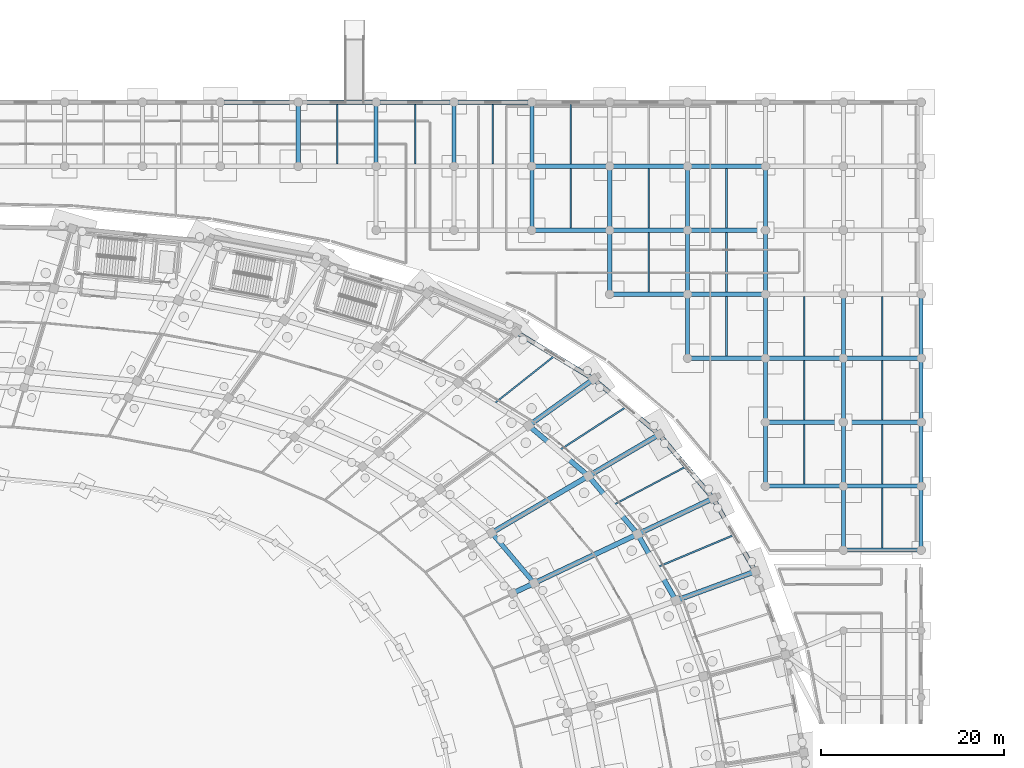
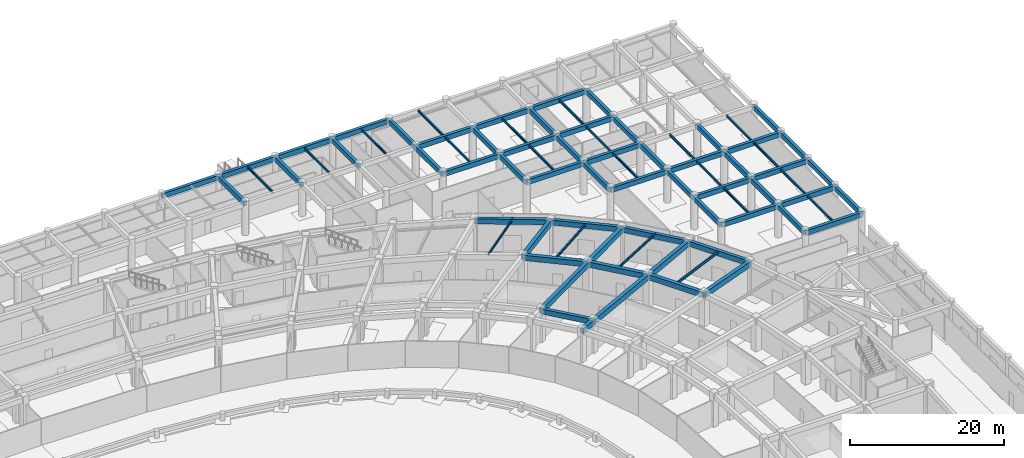
# One storey, part 37 of 88: 79 beams.
"""IFC4 building model written with IfcOpenShell, lengths in metres."""

from ifc_helpers import new_model, si_unit, direction, frame, origin, origin_2d, place, context, subcontext, project, spatial, rectangle, i_section, extrude, material, material_profile, profile_set, type_object, element, save


model = new_model("IFC4")

# Units and contexts
model_context = context("Model", 3, precision=1e-05, world=origin(), true_north=direction((0.0, 1.0)))
body_context = subcontext(model_context, "Body", "Model", "MODEL_VIEW")
ifc_project = project(units=[si_unit("LENGTHUNIT", "METRE"), si_unit("AREAUNIT", "SQUARE_METRE"), si_unit("VOLUMEUNIT", "CUBIC_METRE"), si_unit("PLANEANGLEUNIT", "RADIAN"), si_unit("MASSUNIT", "GRAM", prefix="KILO")], contexts=[model_context])

# Site, building, storey
site_placement = place(None, origin())
site = spatial("IfcSite", under=ifc_project, at=site_placement, CompositionType="ELEMENT")
building_placement = place(site_placement, origin())
building = spatial("IfcBuilding", under=site, at=building_placement, Name="Mphavela Belvedere Stadium", CompositionType="ELEMENT")
storey_placement = place(building_placement, origin())
storey = spatial("IfcBuildingStorey", under=building, at=storey_placement, Name="L00", CompositionType="ELEMENT", Elevation=0.0)

# Beams
ifc_material_1 = material(Name="Steel S355", Category="steel")
ifc_material_profile_1 = material_profile(ifc_material_1, i_section(OverallWidth=0.169921875, OverallDepth=0.360107421875, WebThickness=0.008056640625, FlangeThickness=0.0126953125, at=origin_2d()), Name="IPE 360")
ifc_profile_set_1 = profile_set([ifc_material_profile_1], Name="Steel S355")
beam_type_1 = type_object("IfcBeamType", Name="BM-JOIST-IPE360", PredefinedType="JOIST", material=ifc_profile_set_1)
beam_1_placement = place(storey_placement, frame((196.2880859375, 129.93115234375, 4.969970703125), z_axis=(0.884250771824, 0.467012390123, 0.0), x_axis=(-0.467012390123, 0.884250771824, 0.0)))
element("IfcBeam", 1, at=beam_1_placement, inside=storey, type_object=beam_type_1, Name="Concourse floor joist L00-05", PredefinedType="JOIST", context=body_context, shape_type="SweptSolid", body=[
    extrude(i_section(OverallWidth=0.169921875, OverallDepth=0.360107421875, WebThickness=0.008056640625, FlangeThickness=0.0126953125, at=origin_2d()), origin(), (0.0, 0.0, 1.0), 9.0498046875),
])
beam_2_placement = place(storey_placement, frame((183.210693359375, 140.97412109375, 4.969970703125), z_axis=(0.784195537739, 0.620513785979, 0.0), x_axis=(-0.620513785979, 0.784195537739, 0.0)))
element("IfcBeam", 2, at=beam_2_placement, inside=storey, type_object=beam_type_1, Name="Concourse floor joist L00-07", PredefinedType="JOIST", context=body_context, shape_type="SweptSolid", body=[
    extrude(i_section(OverallWidth=0.169921875, OverallDepth=0.360107421875, WebThickness=0.008056640625, FlangeThickness=0.0126953125, at=origin_2d()), origin(), (0.0, 0.0, 1.0), 8.56298828125),
])
for number, where, z_axis, x_axis, name in (
    (3, (166.111083984375, 167.22509765625, 4.9599609375), (0.0, 1.0, 0.0), (-1.0, 0.0, 0.0), "North Mast and Ceremonial End Forecourt secondary joist L00 20-7"),
    (4, (174.62939453125, 167.22509765625, 4.9599609375), (0.0, 1.0, 0.0), (-1.0, 0.0, 0.0), "North Mast and Ceremonial End Forecourt secondary joist L00 21-7"),
    (5, (183.14794921875, 167.22509765625, 4.9599609375), (0.0, 1.0, 0.0), (-1.0, 0.0, 0.0), "North Mast and Ceremonial End Forecourt secondary joist L00 22-7"),
    (6, (191.66650390625, 160.22509765625, 4.9599609375), (0.0, 1.0, 0.0), (-1.0, 0.0, 0.0), "North Mast and Ceremonial End Forecourt secondary joist L00 23-6"),
    (7, (191.66650390625, 167.22509765625, 4.9599609375), (0.0, 1.0, 0.0), (-1.0, 0.0, 0.0), "North Mast and Ceremonial End Forecourt secondary joist L00 23-7"),
    (8, (200.18505859375, 153.22509765625, 4.9599609375), (0.0, 1.0, 0.0), (-1.0, 0.0, 0.0), "North Mast and Ceremonial End Forecourt secondary joist L00 24-5"),
    (9, (200.18505859375, 160.22509765625, 4.9599609375), (0.0, 1.0, 0.0), (-1.0, 0.0, 0.0), "North Mast and Ceremonial End Forecourt secondary joist L00 24-6"),
    (10, (208.70361328125, 146.22509765625, 4.9599609375), (0.0, 1.0, 0.0), (-1.0, 0.0, 0.0), "North Mast and Ceremonial End Forecourt secondary joist L00 25-4"),
    (11, (208.70361328125, 153.22509765625, 4.9599609375), (0.0, 1.0, 0.0), (-1.0, 0.0, 0.0), "North Mast and Ceremonial End Forecourt secondary joist L00 25-5"),
    (12, (208.70361328125, 160.22509765625, 4.9599609375), (0.0, 1.0, 0.0), (-1.0, 0.0, 0.0), "North Mast and Ceremonial End Forecourt secondary joist L00 25-6"),
    (13, (217.221923828125, 132.22509765625, 4.9599609375), (0.0, 1.0, 0.0), (-1.0, 0.0, 0.0), "North Mast and Ceremonial End Forecourt secondary joist L00 26-2"),
    (14, (217.221923828125, 139.22509765625, 4.9599609375), (0.0, 1.0, 0.0), (-1.0, 0.0, 0.0), "North Mast and Ceremonial End Forecourt secondary joist L00 26-3"),
    (15, (217.221923828125, 146.22509765625, 4.9599609375), (0.0, 1.0, 0.0), (-1.0, 0.0, 0.0), "North Mast and Ceremonial End Forecourt secondary joist L00 26-4"),
    (16, (225.740478515625, 125.22509765625, 4.9599609375), (0.0, 1.0, 0.0), (-1.0, 0.0, 0.0), "North Mast and Ceremonial End Forecourt secondary joist L00 27-1"),
    (17, (225.740478515625, 132.22509765625, 4.9599609375), (0.0, 1.0, 0.0), (-1.0, 0.0, 0.0), "North Mast and Ceremonial End Forecourt secondary joist L00 27-2"),
    (18, (225.740478515625, 139.22509765625, 4.9599609375), (0.0, 1.0, 0.0), (-1.0, 0.0, 0.0), "North Mast and Ceremonial End Forecourt secondary joist L00 27-3"),
    (19, (225.740478515625, 146.22509765625, 4.9599609375), (0.0, 1.0, 0.0), (-1.0, 0.0, 0.0), "North Mast and Ceremonial End Forecourt secondary joist L00 27-4"),
):
    element("IfcBeam", number, at=place(storey_placement, frame(where, z_axis=z_axis, x_axis=x_axis)), inside=storey, type_object=beam_type_1, Name=name, PredefinedType="JOIST", context=body_context, shape_type="SweptSolid", body=[
        extrude(i_section(OverallWidth=0.169921875, OverallDepth=0.360107421875, WebThickness=0.008056640625, FlangeThickness=0.0126953125, at=origin_2d()), origin(), (0.0, 0.0, 1.0), 6.5498046875),
    ])
ifc_material_2 = material(Name="Steel S355", Category="steel")
ifc_material_profile_2 = material_profile(ifc_material_2, i_section(OverallWidth=0.179931640625, OverallDepth=0.39990234375, WebThickness=0.008544921875, FlangeThickness=0.013427734375, at=origin_2d()), Name="IPE 400")
ifc_profile_set_2 = profile_set([ifc_material_profile_2], Name="Steel S355")
beam_type_2 = type_object("IfcBeamType", Name="BM-JOIST-IPE400", PredefinedType="JOIST", material=ifc_profile_set_2)
beam_3_placement = place(storey_placement, frame((201.07568359375, 123.116455078125, 4.949951171875), z_axis=(0.922118257552, 0.3869081533, 0.0), x_axis=(-0.3869081533, 0.922118257552, 0.0)))
element("IfcBeam", 20, at=beam_3_placement, inside=storey, type_object=beam_type_2, Name="Concourse floor joist L00-04", PredefinedType="JOIST", context=body_context, shape_type="SweptSolid", body=[
    extrude(i_section(OverallWidth=0.179931640625, OverallDepth=0.39990234375, WebThickness=0.008544921875, FlangeThickness=0.013427734375, at=origin_2d()), origin(), (0.0, 0.0, 1.0), 9.189208984375),
])
beam_4_placement = place(storey_placement, frame((190.330810546875, 135.872802734375, 4.949951171875), z_axis=(0.838915278194, 0.544262028818, 0.0), x_axis=(-0.544262028818, 0.838915278194, 0.0)))
element("IfcBeam", 21, at=beam_4_placement, inside=storey, type_object=beam_type_2, Name="Concourse floor joist L00-06", PredefinedType="JOIST", context=body_context, shape_type="SweptSolid", body=[
    extrude(i_section(OverallWidth=0.179931640625, OverallDepth=0.39990234375, WebThickness=0.008544921875, FlangeThickness=0.013427734375, at=origin_2d()), origin(), (0.0, 0.0, 1.0), 8.840087890625),
])
ifc_material_3 = material(Name="Concrete C40/50", Category="concrete")
ifc_material_profile_3 = material_profile(ifc_material_3, rectangle(XDim=0.449951171875, YDim=0.75, at=origin_2d()), Name="RC 450x750")
ifc_profile_set_3 = profile_set([ifc_material_profile_3], Name="Concrete C40/50")
beam_type_3 = type_object("IfcBeamType", Name="BM-RC450x750", PredefinedType="BEAM", material=ifc_profile_set_3)
beam_5_placement = place(storey_placement, frame((153.3330078125, 174.0, 4.764892578125), z_axis=(1.0, 0.0, 0.0), x_axis=(0.0, 1.0, 0.0)))
element("IfcBeam", 22, at=beam_5_placement, inside=storey, type_object=beam_type_3, Name="North Mast and Ceremonial End Forecourt entablature beam X L00 19-8", PredefinedType="BEAM", context=body_context, shape_type="SweptSolid", body=[
    extrude(rectangle(XDim=0.449951171875, YDim=0.75, at=origin_2d()), origin(), (0.0, 0.0, 1.0), 8.51904296875),
])
beam_6_placement = place(storey_placement, frame((161.85205078125, 167.0, 4.764892578125), z_axis=(0.0, 1.0, 0.0), x_axis=(-1.0, 0.0, 0.0)))
element("IfcBeam", 23, at=beam_6_placement, inside=storey, type_object=beam_type_3, Name="North Mast and Ceremonial End Forecourt entablature beam Y L00 20-7", PredefinedType="BEAM", context=body_context, shape_type="SweptSolid", body=[
    extrude(rectangle(XDim=0.449951171875, YDim=0.75, at=origin_2d()), origin(), (0.0, 0.0, 1.0), 7.0),
])
beam_7_placement = place(storey_placement, frame((161.85205078125, 174.0, 4.764892578125), z_axis=(1.0, 0.0, 0.0), x_axis=(0.0, 1.0, 0.0)))
element("IfcBeam", 24, at=beam_7_placement, inside=storey, type_object=beam_type_3, Name="North Mast and Ceremonial End Forecourt entablature beam X L00 20-8", PredefinedType="BEAM", context=body_context, shape_type="SweptSolid", body=[
    extrude(rectangle(XDim=0.449951171875, YDim=0.75, at=origin_2d()), origin(), (0.0, 0.0, 1.0), 8.51806640625),
])
beam_8_placement = place(storey_placement, frame((170.3701171875, 167.0, 4.764892578125), z_axis=(0.0, 1.0, 0.0), x_axis=(-1.0, 0.0, 0.0)))
element("IfcBeam", 25, at=beam_8_placement, inside=storey, type_object=beam_type_3, Name="North Mast and Ceremonial End Forecourt entablature beam Y L00 21-7", PredefinedType="BEAM", context=body_context, shape_type="SweptSolid", body=[
    extrude(rectangle(XDim=0.449951171875, YDim=0.75, at=origin_2d()), origin(), (0.0, 0.0, 1.0), 7.0),
])
beam_9_placement = place(storey_placement, frame((170.3701171875, 174.0, 4.764892578125), z_axis=(1.0, 0.0, 0.0), x_axis=(0.0, 1.0, 0.0)))
element("IfcBeam", 26, at=beam_9_placement, inside=storey, type_object=beam_type_3, Name="North Mast and Ceremonial End Forecourt entablature beam X L00 21-8", PredefinedType="BEAM", context=body_context, shape_type="SweptSolid", body=[
    extrude(rectangle(XDim=0.449951171875, YDim=0.75, at=origin_2d()), origin(), (0.0, 0.0, 1.0), 8.518798828125),
])
beam_10_placement = place(storey_placement, frame((178.888916015625, 167.0, 4.764892578125), z_axis=(0.0, 1.0, 0.0), x_axis=(-1.0, 0.0, 0.0)))
element("IfcBeam", 27, at=beam_10_placement, inside=storey, type_object=beam_type_3, Name="North Mast and Ceremonial End Forecourt entablature beam Y L00 22-7", PredefinedType="BEAM", context=body_context, shape_type="SweptSolid", body=[
    extrude(rectangle(XDim=0.449951171875, YDim=0.75, at=origin_2d()), origin(), (0.0, 0.0, 1.0), 7.0),
])
beam_11_placement = place(storey_placement, frame((178.888916015625, 174.0, 4.764892578125), z_axis=(1.0, 0.0, 0.0), x_axis=(0.0, 1.0, 0.0)))
element("IfcBeam", 28, at=beam_11_placement, inside=storey, type_object=beam_type_3, Name="North Mast and Ceremonial End Forecourt entablature beam X L00 22-8", PredefinedType="BEAM", context=body_context, shape_type="SweptSolid", body=[
    extrude(rectangle(XDim=0.449951171875, YDim=0.75, at=origin_2d()), origin(), (0.0, 0.0, 1.0), 8.51806640625),
])
beam_12_placement = place(storey_placement, frame((187.406982421875, 160.0, 4.764892578125), z_axis=(1.0, 0.0, 0.0), x_axis=(0.0, 1.0, 0.0)))
element("IfcBeam", 29, at=beam_12_placement, inside=storey, type_object=beam_type_3, Name="North Mast and Ceremonial End Forecourt entablature beam X L00 23-6", PredefinedType="BEAM", context=body_context, shape_type="SweptSolid", body=[
    extrude(rectangle(XDim=0.449951171875, YDim=0.75, at=origin_2d()), origin(), (0.0, 0.0, 1.0), 8.51904296875),
])
beam_13_placement = place(storey_placement, frame((187.406982421875, 160.0, 4.764892578125), z_axis=(0.0, 1.0, 0.0), x_axis=(-1.0, 0.0, 0.0)))
element("IfcBeam", 30, at=beam_13_placement, inside=storey, type_object=beam_type_3, Name="North Mast and Ceremonial End Forecourt entablature beam Y L00 23-6", PredefinedType="BEAM", context=body_context, shape_type="SweptSolid", body=[
    extrude(rectangle(XDim=0.449951171875, YDim=0.75, at=origin_2d()), origin(), (0.0, 0.0, 1.0), 7.0),
])
beam_14_placement = place(storey_placement, frame((187.406982421875, 167.0, 4.764892578125), z_axis=(1.0, 0.0, 0.0), x_axis=(0.0, 1.0, 0.0)))
element("IfcBeam", 31, at=beam_14_placement, inside=storey, type_object=beam_type_3, Name="North Mast and Ceremonial End Forecourt entablature beam X L00 23-7", PredefinedType="BEAM", context=body_context, shape_type="SweptSolid", body=[
    extrude(rectangle(XDim=0.449951171875, YDim=0.75, at=origin_2d()), origin(), (0.0, 0.0, 1.0), 8.51904296875),
])
beam_15_placement = place(storey_placement, frame((187.406982421875, 167.0, 4.764892578125), z_axis=(0.0, 1.0, 0.0), x_axis=(-1.0, 0.0, 0.0)))
element("IfcBeam", 32, at=beam_15_placement, inside=storey, type_object=beam_type_3, Name="North Mast and Ceremonial End Forecourt entablature beam Y L00 23-7", PredefinedType="BEAM", context=body_context, shape_type="SweptSolid", body=[
    extrude(rectangle(XDim=0.449951171875, YDim=0.75, at=origin_2d()), origin(), (0.0, 0.0, 1.0), 7.0),
])
beam_16_placement = place(storey_placement, frame((195.926025390625, 153.0, 4.764892578125), z_axis=(1.0, 0.0, 0.0), x_axis=(0.0, 1.0, 0.0)))
element("IfcBeam", 33, at=beam_16_placement, inside=storey, type_object=beam_type_3, Name="North Mast and Ceremonial End Forecourt entablature beam X L00 24-5", PredefinedType="BEAM", context=body_context, shape_type="SweptSolid", body=[
    extrude(rectangle(XDim=0.449951171875, YDim=0.75, at=origin_2d()), origin(), (0.0, 0.0, 1.0), 8.51806640625),
])
beam_17_placement = place(storey_placement, frame((195.926025390625, 153.0, 4.764892578125), z_axis=(0.0, 1.0, 0.0), x_axis=(-1.0, 0.0, 0.0)))
element("IfcBeam", 34, at=beam_17_placement, inside=storey, type_object=beam_type_3, Name="North Mast and Ceremonial End Forecourt entablature beam Y L00 24-5", PredefinedType="BEAM", context=body_context, shape_type="SweptSolid", body=[
    extrude(rectangle(XDim=0.449951171875, YDim=0.75, at=origin_2d()), origin(), (0.0, 0.0, 1.0), 7.0),
])
beam_18_placement = place(storey_placement, frame((195.926025390625, 160.0, 4.764892578125), z_axis=(1.0, 0.0, 0.0), x_axis=(0.0, 1.0, 0.0)))
element("IfcBeam", 35, at=beam_18_placement, inside=storey, type_object=beam_type_3, Name="North Mast and Ceremonial End Forecourt entablature beam X L00 24-6", PredefinedType="BEAM", context=body_context, shape_type="SweptSolid", body=[
    extrude(rectangle(XDim=0.449951171875, YDim=0.75, at=origin_2d()), origin(), (0.0, 0.0, 1.0), 8.51806640625),
])
beam_19_placement = place(storey_placement, frame((195.926025390625, 160.0, 4.764892578125), z_axis=(0.0, 1.0, 0.0), x_axis=(-1.0, 0.0, 0.0)))
element("IfcBeam", 36, at=beam_19_placement, inside=storey, type_object=beam_type_3, Name="North Mast and Ceremonial End Forecourt entablature beam Y L00 24-6", PredefinedType="BEAM", context=body_context, shape_type="SweptSolid", body=[
    extrude(rectangle(XDim=0.449951171875, YDim=0.75, at=origin_2d()), origin(), (0.0, 0.0, 1.0), 7.0),
])
beam_20_placement = place(storey_placement, frame((195.926025390625, 167.0, 4.764892578125), z_axis=(1.0, 0.0, 0.0), x_axis=(0.0, 1.0, 0.0)))
element("IfcBeam", 37, at=beam_20_placement, inside=storey, type_object=beam_type_3, Name="North Mast and Ceremonial End Forecourt entablature beam X L00 24-7", PredefinedType="BEAM", context=body_context, shape_type="SweptSolid", body=[
    extrude(rectangle(XDim=0.449951171875, YDim=0.75, at=origin_2d()), origin(), (0.0, 0.0, 1.0), 8.51806640625),
])
beam_21_placement = place(storey_placement, frame((204.444091796875, 146.0, 4.764892578125), z_axis=(1.0, 0.0, 0.0), x_axis=(0.0, 1.0, 0.0)))
element("IfcBeam", 38, at=beam_21_placement, inside=storey, type_object=beam_type_3, Name="North Mast and Ceremonial End Forecourt entablature beam X L00 25-4", PredefinedType="BEAM", context=body_context, shape_type="SweptSolid", body=[
    extrude(rectangle(XDim=0.449951171875, YDim=0.75, at=origin_2d()), origin(), (0.0, 0.0, 1.0), 8.518798828125),
])
beam_22_placement = place(storey_placement, frame((204.444091796875, 146.0, 4.764892578125), z_axis=(0.0, 1.0, 0.0), x_axis=(-1.0, 0.0, 0.0)))
element("IfcBeam", 39, at=beam_22_placement, inside=storey, type_object=beam_type_3, Name="North Mast and Ceremonial End Forecourt entablature beam Y L00 25-4", PredefinedType="BEAM", context=body_context, shape_type="SweptSolid", body=[
    extrude(rectangle(XDim=0.449951171875, YDim=0.75, at=origin_2d()), origin(), (0.0, 0.0, 1.0), 7.0),
])
beam_23_placement = place(storey_placement, frame((204.444091796875, 153.0, 4.764892578125), z_axis=(1.0, 0.0, 0.0), x_axis=(0.0, 1.0, 0.0)))
element("IfcBeam", 40, at=beam_23_placement, inside=storey, type_object=beam_type_3, Name="North Mast and Ceremonial End Forecourt entablature beam X L00 25-5", PredefinedType="BEAM", context=body_context, shape_type="SweptSolid", body=[
    extrude(rectangle(XDim=0.449951171875, YDim=0.75, at=origin_2d()), origin(), (0.0, 0.0, 1.0), 8.518798828125),
])
beam_24_placement = place(storey_placement, frame((204.444091796875, 153.0, 4.764892578125), z_axis=(0.0, 1.0, 0.0), x_axis=(-1.0, 0.0, 0.0)))
element("IfcBeam", 41, at=beam_24_placement, inside=storey, type_object=beam_type_3, Name="North Mast and Ceremonial End Forecourt entablature beam Y L00 25-5", PredefinedType="BEAM", context=body_context, shape_type="SweptSolid", body=[
    extrude(rectangle(XDim=0.449951171875, YDim=0.75, at=origin_2d()), origin(), (0.0, 0.0, 1.0), 7.0),
])
beam_25_placement = place(storey_placement, frame((204.444091796875, 160.0, 4.764892578125), z_axis=(1.0, 0.0, 0.0), x_axis=(0.0, 1.0, 0.0)))
element("IfcBeam", 42, at=beam_25_placement, inside=storey, type_object=beam_type_3, Name="North Mast and Ceremonial End Forecourt entablature beam X L00 25-6", PredefinedType="BEAM", context=body_context, shape_type="SweptSolid", body=[
    extrude(rectangle(XDim=0.449951171875, YDim=0.75, at=origin_2d()), origin(), (0.0, 0.0, 1.0), 8.518798828125),
])
beam_26_placement = place(storey_placement, frame((204.444091796875, 160.0, 4.764892578125), z_axis=(0.0, 1.0, 0.0), x_axis=(-1.0, 0.0, 0.0)))
element("IfcBeam", 43, at=beam_26_placement, inside=storey, type_object=beam_type_3, Name="North Mast and Ceremonial End Forecourt entablature beam Y L00 25-6", PredefinedType="BEAM", context=body_context, shape_type="SweptSolid", body=[
    extrude(rectangle(XDim=0.449951171875, YDim=0.75, at=origin_2d()), origin(), (0.0, 0.0, 1.0), 7.0),
])
beam_27_placement = place(storey_placement, frame((204.444091796875, 167.0, 4.764892578125), z_axis=(1.0, 0.0, 0.0), x_axis=(0.0, 1.0, 0.0)))
element("IfcBeam", 44, at=beam_27_placement, inside=storey, type_object=beam_type_3, Name="North Mast and Ceremonial End Forecourt entablature beam X L00 25-7", PredefinedType="BEAM", context=body_context, shape_type="SweptSolid", body=[
    extrude(rectangle(XDim=0.449951171875, YDim=0.75, at=origin_2d()), origin(), (0.0, 0.0, 1.0), 8.518798828125),
])
beam_28_placement = place(storey_placement, frame((212.962890625, 132.0, 4.764892578125), z_axis=(1.0, 0.0, 0.0), x_axis=(0.0, 1.0, 0.0)))
element("IfcBeam", 45, at=beam_28_placement, inside=storey, type_object=beam_type_3, Name="North Mast and Ceremonial End Forecourt entablature beam X L00 26-2", PredefinedType="BEAM", context=body_context, shape_type="SweptSolid", body=[
    extrude(rectangle(XDim=0.449951171875, YDim=0.75, at=origin_2d()), origin(), (0.0, 0.0, 1.0), 8.51806640625),
])
beam_29_placement = place(storey_placement, frame((212.962890625, 132.0, 4.764892578125), z_axis=(0.0, 1.0, 0.0), x_axis=(-1.0, 0.0, 0.0)))
element("IfcBeam", 46, at=beam_29_placement, inside=storey, type_object=beam_type_3, Name="North Mast and Ceremonial End Forecourt entablature beam Y L00 26-2", PredefinedType="BEAM", context=body_context, shape_type="SweptSolid", body=[
    extrude(rectangle(XDim=0.449951171875, YDim=0.75, at=origin_2d()), origin(), (0.0, 0.0, 1.0), 7.0),
])
beam_30_placement = place(storey_placement, frame((212.962890625, 139.0, 4.764892578125), z_axis=(1.0, 0.0, 0.0), x_axis=(0.0, 1.0, 0.0)))
element("IfcBeam", 47, at=beam_30_placement, inside=storey, type_object=beam_type_3, Name="North Mast and Ceremonial End Forecourt entablature beam X L00 26-3", PredefinedType="BEAM", context=body_context, shape_type="SweptSolid", body=[
    extrude(rectangle(XDim=0.449951171875, YDim=0.75, at=origin_2d()), origin(), (0.0, 0.0, 1.0), 8.51806640625),
])
beam_31_placement = place(storey_placement, frame((212.962890625, 139.0, 4.764892578125), z_axis=(0.0, 1.0, 0.0), x_axis=(-1.0, 0.0, 0.0)))
element("IfcBeam", 48, at=beam_31_placement, inside=storey, type_object=beam_type_3, Name="North Mast and Ceremonial End Forecourt entablature beam Y L00 26-3", PredefinedType="BEAM", context=body_context, shape_type="SweptSolid", body=[
    extrude(rectangle(XDim=0.449951171875, YDim=0.75, at=origin_2d()), origin(), (0.0, 0.0, 1.0), 7.0),
])
beam_32_placement = place(storey_placement, frame((212.962890625, 146.0, 4.764892578125), z_axis=(1.0, 0.0, 0.0), x_axis=(0.0, 1.0, 0.0)))
element("IfcBeam", 49, at=beam_32_placement, inside=storey, type_object=beam_type_3, Name="North Mast and Ceremonial End Forecourt entablature beam X L00 26-4", PredefinedType="BEAM", context=body_context, shape_type="SweptSolid", body=[
    extrude(rectangle(XDim=0.449951171875, YDim=0.75, at=origin_2d()), origin(), (0.0, 0.0, 1.0), 8.51806640625),
])
for number, where, z_axis, x_axis, name in (
    (50, (212.962890625, 146.0, 4.764892578125), (0.0, 1.0, 0.0), (-1.0, 0.0, 0.0), "North Mast and Ceremonial End Forecourt entablature beam Y L00 26-4"),
    (51, (212.962890625, 153.0, 4.764892578125), (0.0, 1.0, 0.0), (-1.0, 0.0, 0.0), "North Mast and Ceremonial End Forecourt entablature beam Y L00 26-5"),
    (52, (212.962890625, 160.0, 4.764892578125), (0.0, 1.0, 0.0), (-1.0, 0.0, 0.0), "North Mast and Ceremonial End Forecourt entablature beam Y L00 26-6"),
):
    element("IfcBeam", number, at=place(storey_placement, frame(where, z_axis=z_axis, x_axis=x_axis)), inside=storey, type_object=beam_type_3, Name=name, PredefinedType="BEAM", context=body_context, shape_type="SweptSolid", body=[
        extrude(rectangle(XDim=0.449951171875, YDim=0.75, at=origin_2d()), origin(), (0.0, 0.0, 1.0), 7.0),
    ])
beam_33_placement = place(storey_placement, frame((221.48095703125, 125.0, 4.764892578125), z_axis=(1.0, 0.0, 0.0), x_axis=(0.0, 1.0, 0.0)))
element("IfcBeam", 53, at=beam_33_placement, inside=storey, type_object=beam_type_3, Name="North Mast and Ceremonial End Forecourt entablature beam X L00 27-1", PredefinedType="BEAM", context=body_context, shape_type="SweptSolid", body=[
    extrude(rectangle(XDim=0.449951171875, YDim=0.75, at=origin_2d()), origin(), (0.0, 0.0, 1.0), 8.51904296875),
])
beam_34_placement = place(storey_placement, frame((221.48095703125, 125.0, 4.764892578125), z_axis=(0.0, 1.0, 0.0), x_axis=(-1.0, 0.0, 0.0)))
element("IfcBeam", 54, at=beam_34_placement, inside=storey, type_object=beam_type_3, Name="North Mast and Ceremonial End Forecourt entablature beam Y L00 27-1", PredefinedType="BEAM", context=body_context, shape_type="SweptSolid", body=[
    extrude(rectangle(XDim=0.449951171875, YDim=0.75, at=origin_2d()), origin(), (0.0, 0.0, 1.0), 7.0),
])
beam_35_placement = place(storey_placement, frame((221.48095703125, 132.0, 4.764892578125), z_axis=(1.0, 0.0, 0.0), x_axis=(0.0, 1.0, 0.0)))
element("IfcBeam", 55, at=beam_35_placement, inside=storey, type_object=beam_type_3, Name="North Mast and Ceremonial End Forecourt entablature beam X L00 27-2", PredefinedType="BEAM", context=body_context, shape_type="SweptSolid", body=[
    extrude(rectangle(XDim=0.449951171875, YDim=0.75, at=origin_2d()), origin(), (0.0, 0.0, 1.0), 8.51904296875),
])
beam_36_placement = place(storey_placement, frame((221.48095703125, 132.0, 4.764892578125), z_axis=(0.0, 1.0, 0.0), x_axis=(-1.0, 0.0, 0.0)))
element("IfcBeam", 56, at=beam_36_placement, inside=storey, type_object=beam_type_3, Name="North Mast and Ceremonial End Forecourt entablature beam Y L00 27-2", PredefinedType="BEAM", context=body_context, shape_type="SweptSolid", body=[
    extrude(rectangle(XDim=0.449951171875, YDim=0.75, at=origin_2d()), origin(), (0.0, 0.0, 1.0), 7.0),
])
beam_37_placement = place(storey_placement, frame((221.48095703125, 139.0, 4.764892578125), z_axis=(1.0, 0.0, 0.0), x_axis=(0.0, 1.0, 0.0)))
element("IfcBeam", 57, at=beam_37_placement, inside=storey, type_object=beam_type_3, Name="North Mast and Ceremonial End Forecourt entablature beam X L00 27-3", PredefinedType="BEAM", context=body_context, shape_type="SweptSolid", body=[
    extrude(rectangle(XDim=0.449951171875, YDim=0.75, at=origin_2d()), origin(), (0.0, 0.0, 1.0), 8.51904296875),
])
beam_38_placement = place(storey_placement, frame((221.48095703125, 139.0, 4.764892578125), z_axis=(0.0, 1.0, 0.0), x_axis=(-1.0, 0.0, 0.0)))
element("IfcBeam", 58, at=beam_38_placement, inside=storey, type_object=beam_type_3, Name="North Mast and Ceremonial End Forecourt entablature beam Y L00 27-3", PredefinedType="BEAM", context=body_context, shape_type="SweptSolid", body=[
    extrude(rectangle(XDim=0.449951171875, YDim=0.75, at=origin_2d()), origin(), (0.0, 0.0, 1.0), 7.0),
])
beam_39_placement = place(storey_placement, frame((221.48095703125, 146.0, 4.764892578125), z_axis=(1.0, 0.0, 0.0), x_axis=(0.0, 1.0, 0.0)))
element("IfcBeam", 59, at=beam_39_placement, inside=storey, type_object=beam_type_3, Name="North Mast and Ceremonial End Forecourt entablature beam X L00 27-4", PredefinedType="BEAM", context=body_context, shape_type="SweptSolid", body=[
    extrude(rectangle(XDim=0.449951171875, YDim=0.75, at=origin_2d()), origin(), (0.0, 0.0, 1.0), 8.51904296875),
])
for number, where, z_axis, x_axis, name in (
    (60, (221.48095703125, 146.0, 4.764892578125), (0.0, 1.0, 0.0), (-1.0, 0.0, 0.0), "North Mast and Ceremonial End Forecourt entablature beam Y L00 27-4"),
    (61, (230.0, 125.0, 4.764892578125), (0.0, 1.0, 0.0), (-1.0, 0.0, 0.0), "North Mast and Ceremonial End Forecourt entablature beam Y L00 28-1"),
    (62, (230.0, 132.0, 4.764892578125), (0.0, 1.0, 0.0), (-1.0, 0.0, 0.0), "North Mast and Ceremonial End Forecourt entablature beam Y L00 28-2"),
    (63, (230.0, 139.0, 4.764892578125), (0.0, 1.0, 0.0), (-1.0, 0.0, 0.0), "North Mast and Ceremonial End Forecourt entablature beam Y L00 28-3"),
    (64, (230.0, 146.0, 4.764892578125), (0.0, 1.0, 0.0), (-1.0, 0.0, 0.0), "North Mast and Ceremonial End Forecourt entablature beam Y L00 28-4"),
):
    element("IfcBeam", number, at=place(storey_placement, frame(where, z_axis=z_axis, x_axis=x_axis)), inside=storey, type_object=beam_type_3, Name=name, PredefinedType="BEAM", context=body_context, shape_type="SweptSolid", body=[
        extrude(rectangle(XDim=0.449951171875, YDim=0.75, at=origin_2d()), origin(), (0.0, 0.0, 1.0), 7.0),
    ])
ifc_material_4 = material(Name="Concrete C40/50", Category="concrete")
ifc_material_profile_4 = material_profile(ifc_material_4, rectangle(XDim=0.5, YDim=0.800048828125, at=origin_2d()), Name="RC 500x800")
ifc_profile_set_4 = profile_set([ifc_material_profile_4], Name="Concrete C40/50")
beam_type_4 = type_object("IfcBeamType", Name="BM-RC500x800", PredefinedType="BEAM", material=ifc_profile_set_4)
beam_40_placement = place(storey_placement, frame((187.66259765625, 121.393798828125, 4.75), z_axis=(-0.645167637984, 0.764041045297, 0.0), x_axis=(-0.764041045297, -0.645167637984, 0.0)))
element("IfcBeam", 65, at=beam_40_placement, inside=storey, type_object=beam_type_4, Name="Circumferential girder L00 R2-05", PredefinedType="BEAM", context=body_context, shape_type="SweptSolid", body=[
    extrude(rectangle(XDim=0.5, YDim=0.800048828125, at=origin_2d()), origin(), (0.0, 0.0, 1.0), 7.208740234375),
])
ifc_material_5 = material(Name="Concrete C40/50", Category="concrete")
ifc_material_profile_5 = material_profile(ifc_material_5, rectangle(XDim=0.550048828125, YDim=0.85009765625, at=origin_2d()), Name="RC 550x850")
ifc_profile_set_5 = profile_set([ifc_material_profile_5], Name="Concrete C40/50")
beam_type_5 = type_object("IfcBeamType", Name="BM-RC550x850", PredefinedType="BEAM", material=ifc_profile_set_5)
beam_41_placement = place(storey_placement, frame((203.175537109375, 119.484375, 4.72509765625), z_axis=(-0.500547586322, 0.865709023765, 0.0), x_axis=(-0.865709023765, -0.500547586322, 0.0)))
element("IfcBeam", 66, at=beam_41_placement, inside=storey, type_object=beam_type_5, Name="Circumferential girder L00 R3-04", PredefinedType="BEAM", context=body_context, shape_type="SweptSolid", body=[
    extrude(rectangle(XDim=0.550048828125, YDim=0.85009765625, at=origin_2d()), origin(), (0.0, 0.0, 1.0), 8.390625),
])
beam_42_placement = place(storey_placement, frame((203.175537109375, 119.484375, 4.72509765625), z_axis=(0.938348073025, 0.345691905967, 0.0), x_axis=(-0.345691905967, 0.938348073025, 0.0)))
element("IfcBeam", 67, at=beam_42_placement, inside=storey, type_object=beam_type_5, Name="Radial concourse girder L00 R3R4-04", PredefinedType="BEAM", context=body_context, shape_type="SweptSolid", body=[
    extrude(rectangle(XDim=0.550048828125, YDim=0.85009765625, at=origin_2d()), origin(), (0.0, 0.0, 1.0), 9.2509765625),
])
beam_43_placement = place(storey_placement, frame((198.9755859375, 126.748291015625, 4.72509765625), z_axis=(-0.645177396673, 0.764032804808, 0.0), x_axis=(-0.764032804808, -0.645177396673, 0.0)))
element("IfcBeam", 68, at=beam_43_placement, inside=storey, type_object=beam_type_5, Name="Circumferential girder L00 R3-05", PredefinedType="BEAM", context=body_context, shape_type="SweptSolid", body=[
    extrude(rectangle(XDim=0.550048828125, YDim=0.85009765625, at=origin_2d()), origin(), (0.0, 0.0, 1.0), 8.331298828125),
])
beam_44_placement = place(storey_placement, frame((185.31298828125, 120.281494140625, 4.72509765625), z_axis=(0.903837253846, 0.427876405707, 0.0), x_axis=(-0.427876405707, 0.903837253846, 0.0)))
element("IfcBeam", 69, at=beam_44_placement, inside=storey, type_object=beam_type_5, Name="Radial concourse girder L00 R1R2-05", PredefinedType="BEAM", context=body_context, shape_type="SweptSolid", body=[
    extrude(rectangle(XDim=0.550048828125, YDim=0.85009765625, at=origin_2d()), origin(), (0.0, 0.0, 1.0), 2.599609375),
])
beam_45_placement = place(storey_placement, frame((187.66259765625, 121.393798828125, 4.72509765625), z_axis=(0.903870454162, 0.427806267009, 0.0), x_axis=(-0.427806267009, 0.903870454162, 0.0)))
element("IfcBeam", 70, at=beam_45_placement, inside=storey, type_object=beam_type_5, Name="Radial concourse girder L00 R2R3-05", PredefinedType="BEAM", context=body_context, shape_type="SweptSolid", body=[
    extrude(rectangle(XDim=0.550048828125, YDim=0.85009765625, at=origin_2d()), origin(), (0.0, 0.0, 1.0), 12.51611328125),
])
beam_46_placement = place(storey_placement, frame((198.9755859375, 126.748291015625, 4.72509765625), z_axis=(0.903845427073, 0.427859140325, 0.0), x_axis=(-0.427859140325, 0.903845427073, 0.0)))
element("IfcBeam", 71, at=beam_46_placement, inside=storey, type_object=beam_type_5, Name="Radial concourse girder L00 R3R4-05", PredefinedType="BEAM", context=body_context, shape_type="SweptSolid", body=[
    extrude(rectangle(XDim=0.550048828125, YDim=0.85009765625, at=origin_2d()), origin(), (0.0, 0.0, 1.0), 9.146240234375),
])
beam_47_placement = place(storey_placement, frame((193.600341796875, 133.11376953125, 4.72509765625), z_axis=(-0.764263355392, 0.644904274761, 0.0), x_axis=(-0.644904274761, -0.764263355392, 0.0)))
element("IfcBeam", 72, at=beam_47_placement, inside=storey, type_object=beam_type_5, Name="Circumferential girder L00 R3-06", PredefinedType="BEAM", context=body_context, shape_type="SweptSolid", body=[
    extrude(rectangle(XDim=0.550048828125, YDim=0.85009765625, at=origin_2d()), origin(), (0.0, 0.0, 1.0), 8.55615234375),
])
beam_48_placement = place(storey_placement, frame((183.01171875, 126.901611328125, 4.72509765625), z_axis=(0.862519003522, 0.506024671892, 0.0), x_axis=(-0.506024671892, 0.862519003522, 0.0)))
element("IfcBeam", 73, at=beam_48_placement, inside=storey, type_object=beam_type_5, Name="Radial concourse girder L00 R2R3-06", PredefinedType="BEAM", context=body_context, shape_type="SweptSolid", body=[
    extrude(rectangle(XDim=0.550048828125, YDim=0.85009765625, at=origin_2d()), origin(), (0.0, 0.0, 1.0), 12.2763671875),
])
beam_49_placement = place(storey_placement, frame((193.600341796875, 133.11376953125, 4.72509765625), z_axis=(0.862517779395, 0.506026758411, 0.0), x_axis=(-0.506026758411, 0.862517779395, 0.0)))
element("IfcBeam", 74, at=beam_49_placement, inside=storey, type_object=beam_type_5, Name="Radial concourse girder L00 R3R4-06", PredefinedType="BEAM", context=body_context, shape_type="SweptSolid", body=[
    extrude(rectangle(XDim=0.550048828125, YDim=0.85009765625, at=origin_2d()), origin(), (0.0, 0.0, 1.0), 8.971435546875),
])
beam_50_placement = place(storey_placement, frame((187.061279296875, 138.631591796875, 4.72509765625), z_axis=(0.812882024932, 0.582428376319, 0.0), x_axis=(-0.582428376319, 0.812882024932, 0.0)))
element("IfcBeam", 75, at=beam_50_placement, inside=storey, type_object=beam_type_5, Name="Radial concourse girder L00 R3R4-07", PredefinedType="BEAM", context=body_context, shape_type="SweptSolid", body=[
    extrude(rectangle(XDim=0.550048828125, YDim=0.85009765625, at=origin_2d()), origin(), (0.0, 0.0, 1.0), 8.727294921875),
])
ifc_material_6 = material(Name="Concrete C40/50", Category="concrete")
ifc_material_profile_6 = material_profile(ifc_material_6, rectangle(XDim=0.5, YDim=0.800048828125, at=origin_2d()), Name="RC 500x800")
ifc_profile_set_6 = profile_set([ifc_material_profile_6], Name="Concrete C40/50")
beam_type_6 = type_object("IfcBeamType", Name="BM-SPANDREL-800", PredefinedType="SPANDREL", material=ifc_profile_set_6)
beam_51_placement = place(storey_placement, frame((211.856201171875, 122.682373046875, 4.75), z_axis=(-0.500565297122, 0.865698783248, 0.0), x_axis=(-0.865698783248, -0.500565297122, 0.0)))
element("IfcBeam", 76, at=beam_51_placement, inside=storey, type_object=beam_type_6, Name="Circumferential girder L00 R4-04", PredefinedType="SPANDREL", context=body_context, shape_type="SweptSolid", body=[
    extrude(rectangle(XDim=0.5, YDim=0.800048828125, at=origin_2d()), origin(), (0.0, 0.0, 1.0), 9.217041015625),
])
beam_52_placement = place(storey_placement, frame((207.242431640625, 130.66162109375, 4.75), z_axis=(-0.645164552218, 0.764043650952, 0.0), x_axis=(-0.764043650952, -0.645164552218, 0.0)))
element("IfcBeam", 77, at=beam_52_placement, inside=storey, type_object=beam_type_6, Name="Circumferential girder L00 R4-05", PredefinedType="SPANDREL", context=body_context, shape_type="SweptSolid", body=[
    extrude(rectangle(XDim=0.5, YDim=0.800048828125, at=origin_2d()), origin(), (0.0, 0.0, 1.0), 9.151123046875),
])
beam_53_placement = place(storey_placement, frame((201.33837890625, 137.653564453125, 4.75), z_axis=(-0.76426547638, 0.644901761212, 0.0), x_axis=(-0.644901761212, -0.76426547638, 0.0)))
element("IfcBeam", 78, at=beam_53_placement, inside=storey, type_object=beam_type_6, Name="Circumferential girder L00 R4-06", PredefinedType="SPANDREL", context=body_context, shape_type="SweptSolid", body=[
    extrude(rectangle(XDim=0.5, YDim=0.800048828125, at=origin_2d()), origin(), (0.0, 0.0, 1.0), 9.3984375),
])
beam_54_placement = place(storey_placement, frame((194.155517578125, 143.714599609375, 4.75), z_axis=(-0.854326607994, 0.51973651678, 0.0), x_axis=(-0.51973651678, -0.854326607994, 0.0)))
element("IfcBeam", 79, at=beam_54_placement, inside=storey, type_object=beam_type_6, Name="Circumferential girder L00 R4-07", PredefinedType="SPANDREL", context=body_context, shape_type="SweptSolid", body=[
    extrude(rectangle(XDim=0.5, YDim=0.800048828125, at=origin_2d()), origin(), (0.0, 0.0, 1.0), 9.901611328125),
])

save(model, "model.ifc")
